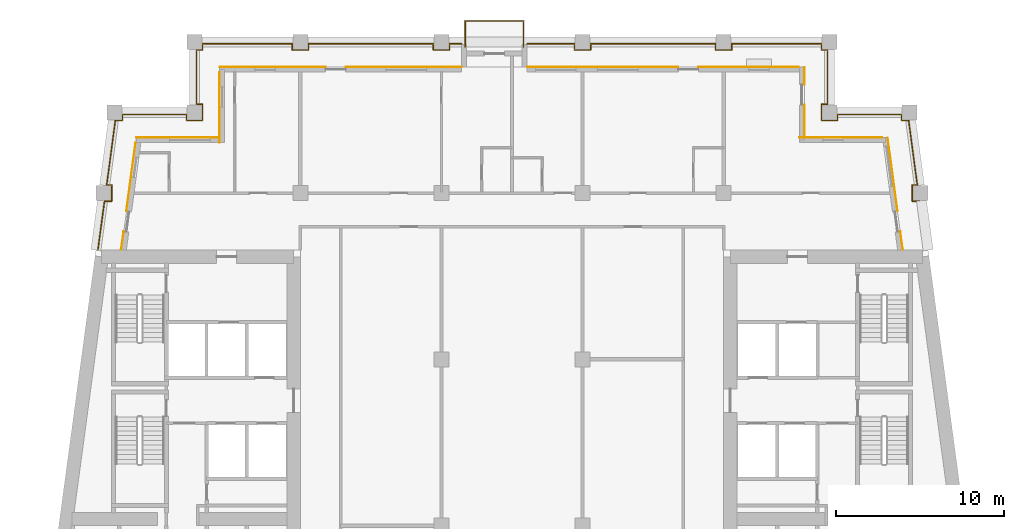
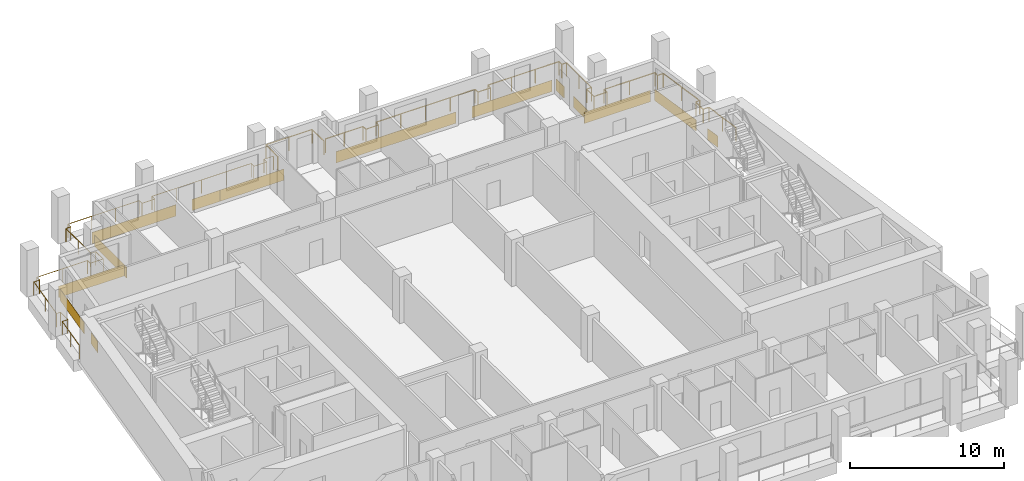
# One storey, part 11 of 12: 14 coverings, 3 railings.
"""IFC4 building model written with IfcOpenShell, lengths in metres."""

from ifc_helpers import new_model, si_unit, direction, frame, origin, origin_2d, place, context, subcontext, project, spatial, rectangle, circle, extrude, material, layer, layer_set, type_object, element, save


model = new_model("IFC4")

# Units and contexts
model_context = context("Model", 3, precision=1e-05, world=origin(), true_north=direction((0.0, 1.0)))
body_context = subcontext(model_context, "Body", "Model", "MODEL_VIEW")
ifc_project = project(units=[si_unit("LENGTHUNIT", "METRE"), si_unit("AREAUNIT", "SQUARE_METRE"), si_unit("VOLUMEUNIT", "CUBIC_METRE"), si_unit("PLANEANGLEUNIT", "RADIAN"), si_unit("MASSUNIT", "GRAM", prefix="KILO")], contexts=[model_context])

# Site, building, storey
site_placement = place(None, origin())
site = spatial("IfcSite", under=ifc_project, at=site_placement, CompositionType="ELEMENT")
building_placement = place(site_placement, origin())
building = spatial("IfcBuilding", under=site, at=building_placement, Name="Candeia Pilgrim Tower and Theatre", CompositionType="ELEMENT")
storey_placement = place(building_placement, frame((0.0, 0.0, 224.39990234375)))
storey = spatial("IfcBuildingStorey", under=building, at=storey_placement, Name="L54", CompositionType="ELEMENT", Elevation=224.39990234375)

# Railings
ifc_material_1 = material(Name="Stainless steel balustrade", Category="steel")
railing_type = type_object("IfcRailingType", Name="G1 loggia guard 1100", PredefinedType="GUARDRAIL", material=ifc_material_1)
railing_1_placement = place(storey_placement, frame((88.758544921875, 132.449951171875, 0.0)))
element("IfcRailing", 1, at=railing_1_placement, inside=storey, type_object=railing_type, Name="Guard L54.2", PredefinedType="GUARDRAIL", context=body_context, shape_type="SweptSolid", body=[
    extrude(circle(Radius=0.02392578125, at=origin_2d()), frame((0.0, 0.0, 1.076171875), z_axis=(0.133450228179, 0.991055516406, 0.0), x_axis=(-0.991055516406, 0.133450228179, 0.0)), (0.0, 0.0, 1.0), 2.89599609375),
    extrude(circle(Radius=0.02392578125, at=origin_2d()), frame((0.386474609375, 2.8701171875, 1.076171875), z_axis=(1.0, 0.0, 0.0), x_axis=(0.0, 1.0, 0.0)), (0.0, 0.0, 1.0), 0.42333984375),
    extrude(circle(Radius=0.02392578125, at=origin_2d()), frame((0.809814453125, 2.8701171875, 1.076171875), z_axis=(0.0, 1.0, 0.0), x_axis=(-1.0, 0.0, 0.0)), (0.0, 0.0, 1.0), 0.9599609375),
    extrude(circle(Radius=0.02392578125, at=origin_2d()), frame((0.809814453125, 3.830078125, 1.076171875), z_axis=(-1.0, 0.0, 0.0), x_axis=(0.0, -1.0, 0.0)), (0.0, 0.0, 1.0), 0.294189453125),
    extrude(circle(Radius=0.02392578125, at=origin_2d()), frame((0.515625, 3.830078125, 1.076171875), z_axis=(0.133389399471, 0.991063705374, 0.0), x_axis=(-0.991063705374, 0.133389399471, 0.0)), (0.0, 0.0, 1.0), 3.874755859375),
    extrude(circle(Radius=0.02392578125, at=origin_2d()), frame((1.032470703125, 7.670166015625, 1.076171875), z_axis=(1.0, 0.0, 0.0), x_axis=(0.0, 1.0, 0.0)), (0.0, 0.0, 1.0), 0.423583984375),
    extrude(circle(Radius=0.02392578125, at=origin_2d()), frame((1.4560546875, 7.670166015625, 1.076171875), z_axis=(0.0, 1.0, 0.0), x_axis=(-1.0, 0.0, 0.0)), (0.0, 0.0, 1.0), 0.35986328125),
    extrude(circle(Radius=0.02392578125, at=origin_2d()), frame((1.4560546875, 8.030029296875, 1.076171875), z_axis=(1.0, 0.0, 0.0), x_axis=(0.0, 1.0, 0.0)), (0.0, 0.0, 1.0), 3.805419921875),
    extrude(circle(Radius=0.02392578125, at=origin_2d()), frame((5.261474609375, 8.030029296875, 1.076171875), z_axis=(0.0, -1.0, 0.0), x_axis=(1.0, 0.0, 0.0)), (0.0, 0.0, 1.0), 0.35986328125),
    extrude(circle(Radius=0.02392578125, at=origin_2d()), frame((5.261474609375, 7.670166015625, 1.076171875), z_axis=(1.0, 0.0, 0.0), x_axis=(0.0, 1.0, 0.0)), (0.0, 0.0, 1.0), 0.9599609375),
    extrude(circle(Radius=0.02392578125, at=origin_2d()), frame((6.221435546875, 7.670166015625, 1.076171875), z_axis=(0.0, 1.0, 0.0), x_axis=(-1.0, 0.0, 0.0)), (0.0, 0.0, 1.0), 0.9599609375),
    extrude(circle(Radius=0.02392578125, at=origin_2d()), frame((6.221435546875, 8.630126953125, 1.076171875), z_axis=(-1.0, 0.0, 0.0), x_axis=(0.0, -1.0, 0.0)), (0.0, 0.0, 1.0), 0.35986328125),
    extrude(circle(Radius=0.02392578125, at=origin_2d()), frame((5.861572265625, 8.630126953125, 1.076171875), z_axis=(0.0, 1.0, 0.0), x_axis=(-1.0, 0.0, 0.0)), (0.0, 0.0, 1.0), 3.239990234375),
    extrude(circle(Radius=0.02392578125, at=origin_2d()), frame((5.861572265625, 11.8701171875, 1.076171875), z_axis=(1.0, 0.0, 0.0), x_axis=(0.0, 1.0, 0.0)), (0.0, 0.0, 1.0), 0.35986328125),
    extrude(circle(Radius=0.02392578125, at=origin_2d()), frame((6.221435546875, 11.8701171875, 1.076171875), z_axis=(0.0, 1.0, 0.0), x_axis=(-1.0, 0.0, 0.0)), (0.0, 0.0, 1.0), 0.35986328125),
    extrude(circle(Radius=0.02392578125, at=origin_2d()), frame((6.221435546875, 12.22998046875, 1.076171875), z_axis=(1.0, 0.0, 0.0), x_axis=(0.0, 1.0, 0.0)), (0.0, 0.0, 1.0), 5.340087890625),
    extrude(circle(Radius=0.02392578125, at=origin_2d()), frame((11.5615234375, 12.22998046875, 1.076171875), z_axis=(0.0, -1.0, 0.0), x_axis=(1.0, 0.0, 0.0)), (0.0, 0.0, 1.0), 0.35986328125),
    extrude(circle(Radius=0.02392578125, at=origin_2d()), frame((11.5615234375, 11.8701171875, 1.076171875), z_axis=(1.0, 0.0, 0.0), x_axis=(0.0, 1.0, 0.0)), (0.0, 0.0, 1.0), 0.9599609375),
    extrude(circle(Radius=0.02392578125, at=origin_2d()), frame((12.521484375, 11.8701171875, 1.076171875), z_axis=(0.0, 1.0, 0.0), x_axis=(-1.0, 0.0, 0.0)), (0.0, 0.0, 1.0), 0.35986328125),
    extrude(circle(Radius=0.02392578125, at=origin_2d()), frame((12.521484375, 12.22998046875, 1.076171875), z_axis=(1.0, 0.0, 0.0), x_axis=(0.0, 1.0, 0.0)), (0.0, 0.0, 1.0), 7.43994140625),
    extrude(circle(Radius=0.02392578125, at=origin_2d()), frame((19.96142578125, 12.22998046875, 1.076171875), z_axis=(0.0, -1.0, 0.0), x_axis=(1.0, 0.0, 0.0)), (0.0, 0.0, 1.0), 0.35986328125),
    extrude(circle(Radius=0.02392578125, at=origin_2d()), frame((19.96142578125, 11.8701171875, 1.076171875), z_axis=(1.0, 0.0, 0.0), x_axis=(0.0, 1.0, 0.0)), (0.0, 0.0, 1.0), 0.9599609375),
    extrude(circle(Radius=0.02392578125, at=origin_2d()), frame((20.92138671875, 11.8701171875, 1.076171875), z_axis=(0.0, 1.0, 0.0), x_axis=(-1.0, 0.0, 0.0)), (0.0, 0.0, 1.0), 0.35986328125),
    extrude(circle(Radius=0.02392578125, at=origin_2d()), frame((20.92138671875, 12.22998046875, 1.076171875), z_axis=(1.0, 0.0, 0.0), x_axis=(0.0, 1.0, 0.0)), (0.0, 0.0, 1.0), 0.719970703125),
    extrude(circle(Radius=0.02099609375, at=origin_2d()), origin(), (0.0, 0.0, 1.0), 1.052001953125),
    extrude(circle(Radius=0.02099609375, at=origin_2d()), frame((0.193359375, 1.43505859375, 0.0)), (0.0, 0.0, 1.0), 1.052001953125),
    extrude(circle(Radius=0.02099609375, at=origin_2d()), frame((0.386474609375, 2.8701171875, 0.0)), (0.0, 0.0, 1.0), 1.052001953125),
    extrude(circle(Radius=0.02099609375, at=origin_2d()), frame((0.809814453125, 2.8701171875, 0.0)), (0.0, 0.0, 1.0), 1.052001953125),
    extrude(circle(Radius=0.02099609375, at=origin_2d()), frame((0.809814453125, 3.830078125, 0.0)), (0.0, 0.0, 1.0), 1.052001953125),
    extrude(circle(Radius=0.02099609375, at=origin_2d()), frame((0.515625, 3.830078125, 0.0)), (0.0, 0.0, 1.0), 1.052001953125),
    extrude(circle(Radius=0.02099609375, at=origin_2d()), frame((0.77392578125, 5.75, 0.0)), (0.0, 0.0, 1.0), 1.052001953125),
    extrude(circle(Radius=0.02099609375, at=origin_2d()), frame((1.032470703125, 7.670166015625, 0.0)), (0.0, 0.0, 1.0), 1.052001953125),
    extrude(circle(Radius=0.02099609375, at=origin_2d()), frame((1.4560546875, 7.670166015625, 0.0)), (0.0, 0.0, 1.0), 1.052001953125),
    extrude(circle(Radius=0.02099609375, at=origin_2d()), frame((1.4560546875, 8.030029296875, 0.0)), (0.0, 0.0, 1.0), 1.052001953125),
    extrude(circle(Radius=0.02099609375, at=origin_2d()), frame((3.35888671875, 8.030029296875, 0.0)), (0.0, 0.0, 1.0), 1.052001953125),
    extrude(circle(Radius=0.02099609375, at=origin_2d()), frame((5.261474609375, 8.030029296875, 0.0)), (0.0, 0.0, 1.0), 1.052001953125),
    extrude(circle(Radius=0.02099609375, at=origin_2d()), frame((5.261474609375, 7.670166015625, 0.0)), (0.0, 0.0, 1.0), 1.052001953125),
    extrude(circle(Radius=0.02099609375, at=origin_2d()), frame((6.221435546875, 7.670166015625, 0.0)), (0.0, 0.0, 1.0), 1.052001953125),
    extrude(circle(Radius=0.02099609375, at=origin_2d()), frame((6.221435546875, 8.630126953125, 0.0)), (0.0, 0.0, 1.0), 1.052001953125),
    extrude(circle(Radius=0.02099609375, at=origin_2d()), frame((5.861572265625, 8.630126953125, 0.0)), (0.0, 0.0, 1.0), 1.052001953125),
    extrude(circle(Radius=0.02099609375, at=origin_2d()), frame((5.861572265625, 10.25, 0.0)), (0.0, 0.0, 1.0), 1.052001953125),
    extrude(circle(Radius=0.02099609375, at=origin_2d()), frame((5.861572265625, 11.8701171875, 0.0)), (0.0, 0.0, 1.0), 1.052001953125),
    extrude(circle(Radius=0.02099609375, at=origin_2d()), frame((6.221435546875, 11.8701171875, 0.0)), (0.0, 0.0, 1.0), 1.052001953125),
    extrude(circle(Radius=0.02099609375, at=origin_2d()), frame((6.221435546875, 12.22998046875, 0.0)), (0.0, 0.0, 1.0), 1.052001953125),
    extrude(circle(Radius=0.02099609375, at=origin_2d()), frame((8.00146484375, 12.22998046875, 0.0)), (0.0, 0.0, 1.0), 1.052001953125),
    extrude(circle(Radius=0.02099609375, at=origin_2d()), frame((9.781494140625, 12.22998046875, 0.0)), (0.0, 0.0, 1.0), 1.052001953125),
    extrude(circle(Radius=0.02099609375, at=origin_2d()), frame((11.5615234375, 12.22998046875, 0.0)), (0.0, 0.0, 1.0), 1.052001953125),
    extrude(circle(Radius=0.02099609375, at=origin_2d()), frame((11.5615234375, 11.8701171875, 0.0)), (0.0, 0.0, 1.0), 1.052001953125),
    extrude(circle(Radius=0.02099609375, at=origin_2d()), frame((12.521484375, 11.8701171875, 0.0)), (0.0, 0.0, 1.0), 1.052001953125),
    extrude(circle(Radius=0.02099609375, at=origin_2d()), frame((12.521484375, 12.22998046875, 0.0)), (0.0, 0.0, 1.0), 1.052001953125),
    extrude(circle(Radius=0.02099609375, at=origin_2d()), frame((14.38134765625, 12.22998046875, 0.0)), (0.0, 0.0, 1.0), 1.052001953125),
    extrude(circle(Radius=0.02099609375, at=origin_2d()), frame((16.241455078125, 12.22998046875, 0.0)), (0.0, 0.0, 1.0), 1.052001953125),
    extrude(circle(Radius=0.02099609375, at=origin_2d()), frame((18.1015625, 12.22998046875, 0.0)), (0.0, 0.0, 1.0), 1.052001953125),
    extrude(circle(Radius=0.02099609375, at=origin_2d()), frame((19.96142578125, 12.22998046875, 0.0)), (0.0, 0.0, 1.0), 1.052001953125),
    extrude(circle(Radius=0.02099609375, at=origin_2d()), frame((19.96142578125, 11.8701171875, 0.0)), (0.0, 0.0, 1.0), 1.052001953125),
    extrude(circle(Radius=0.02099609375, at=origin_2d()), frame((20.92138671875, 11.8701171875, 0.0)), (0.0, 0.0, 1.0), 1.052001953125),
    extrude(circle(Radius=0.02099609375, at=origin_2d()), frame((20.92138671875, 12.22998046875, 0.0)), (0.0, 0.0, 1.0), 1.052001953125),
    extrude(circle(Radius=0.02099609375, at=origin_2d()), frame((21.641357421875, 12.22998046875, 0.0)), (0.0, 0.0, 1.0), 1.052001953125),
])
railing_2_placement = place(storey_placement, frame((114.300048828125, 144.679931640625, 0.0)))
element("IfcRailing", 2, at=railing_2_placement, inside=storey, type_object=railing_type, Name="Guard L54.3", PredefinedType="GUARDRAIL", context=body_context, shape_type="SweptSolid", body=[
    extrude(circle(Radius=0.02392578125, at=origin_2d()), frame((0.0, 0.0, 1.076171875), z_axis=(1.0, 0.0, 0.0), x_axis=(0.0, 1.0, 0.0)), (0.0, 0.0, 1.0), 2.820068359375),
    extrude(circle(Radius=0.02392578125, at=origin_2d()), frame((2.820068359375, 0.0, 1.076171875), z_axis=(0.0, -1.0, 0.0), x_axis=(1.0, 0.0, 0.0)), (0.0, 0.0, 1.0), 0.35986328125),
    extrude(circle(Radius=0.02392578125, at=origin_2d()), frame((2.820068359375, -0.35986328125, 1.076171875), z_axis=(1.0, 0.0, 0.0), x_axis=(0.0, 1.0, 0.0)), (0.0, 0.0, 1.0), 0.9599609375),
    extrude(circle(Radius=0.02392578125, at=origin_2d()), frame((3.780029296875, -0.35986328125, 1.076171875), z_axis=(0.0, 1.0, 0.0), x_axis=(-1.0, 0.0, 0.0)), (0.0, 0.0, 1.0), 0.35986328125),
    extrude(circle(Radius=0.02392578125, at=origin_2d()), frame((3.780029296875, 0.0, 1.076171875), z_axis=(1.0, 0.0, 0.0), x_axis=(0.0, 1.0, 0.0)), (0.0, 0.0, 1.0), 7.43994140625),
    extrude(circle(Radius=0.02392578125, at=origin_2d()), frame((11.219970703125, 0.0, 1.076171875), z_axis=(0.0, -1.0, 0.0), x_axis=(1.0, 0.0, 0.0)), (0.0, 0.0, 1.0), 0.35986328125),
    extrude(circle(Radius=0.02392578125, at=origin_2d()), frame((11.219970703125, -0.35986328125, 1.076171875), z_axis=(1.0, 0.0, 0.0), x_axis=(0.0, 1.0, 0.0)), (0.0, 0.0, 1.0), 0.9599609375),
    extrude(circle(Radius=0.02392578125, at=origin_2d()), frame((12.179931640625, -0.35986328125, 1.076171875), z_axis=(0.0, 1.0, 0.0), x_axis=(-1.0, 0.0, 0.0)), (0.0, 0.0, 1.0), 0.35986328125),
    extrude(circle(Radius=0.02392578125, at=origin_2d()), frame((12.179931640625, 0.0, 1.076171875), z_axis=(1.0, 0.0, 0.0), x_axis=(0.0, 1.0, 0.0)), (0.0, 0.0, 1.0), 5.340087890625),
    extrude(circle(Radius=0.02392578125, at=origin_2d()), frame((17.52001953125, 0.0, 1.076171875), z_axis=(0.0, -1.0, 0.0), x_axis=(1.0, 0.0, 0.0)), (0.0, 0.0, 1.0), 0.35986328125),
    extrude(circle(Radius=0.02392578125, at=origin_2d()), frame((17.52001953125, -0.35986328125, 1.076171875), z_axis=(1.0, 0.0, 0.0), x_axis=(0.0, 1.0, 0.0)), (0.0, 0.0, 1.0), 0.35986328125),
    extrude(circle(Radius=0.02392578125, at=origin_2d()), frame((17.8798828125, -0.35986328125, 1.076171875), z_axis=(0.0, -1.0, 0.0), x_axis=(1.0, 0.0, 0.0)), (0.0, 0.0, 1.0), 3.239990234375),
    extrude(circle(Radius=0.02392578125, at=origin_2d()), frame((17.8798828125, -3.599853515625, 1.076171875), z_axis=(-1.0, 0.0, 0.0), x_axis=(0.0, -1.0, 0.0)), (0.0, 0.0, 1.0), 0.35986328125),
    extrude(circle(Radius=0.02392578125, at=origin_2d()), frame((17.52001953125, -3.599853515625, 1.076171875), z_axis=(0.0, -1.0, 0.0), x_axis=(1.0, 0.0, 0.0)), (0.0, 0.0, 1.0), 0.9599609375),
    extrude(circle(Radius=0.02392578125, at=origin_2d()), frame((17.52001953125, -4.559814453125, 1.076171875), z_axis=(1.0, 0.0, 0.0), x_axis=(0.0, 1.0, 0.0)), (0.0, 0.0, 1.0), 0.9599609375),
    extrude(circle(Radius=0.02392578125, at=origin_2d()), frame((18.47998046875, -4.559814453125, 1.076171875), z_axis=(0.0, 1.0, 0.0), x_axis=(-1.0, 0.0, 0.0)), (0.0, 0.0, 1.0), 0.35986328125),
    extrude(circle(Radius=0.02392578125, at=origin_2d()), frame((18.47998046875, -4.199951171875, 1.076171875), z_axis=(1.0, 0.0, 0.0), x_axis=(0.0, 1.0, 0.0)), (0.0, 0.0, 1.0), 3.805419921875),
    extrude(circle(Radius=0.02392578125, at=origin_2d()), frame((22.285400390625, -4.199951171875, 1.076171875), z_axis=(0.0, -1.0, 0.0), x_axis=(1.0, 0.0, 0.0)), (0.0, 0.0, 1.0), 0.35986328125),
    extrude(circle(Radius=0.02392578125, at=origin_2d()), frame((22.285400390625, -4.559814453125, 1.076171875), z_axis=(1.0, 0.0, 0.0), x_axis=(0.0, 1.0, 0.0)), (0.0, 0.0, 1.0), 0.423583984375),
    extrude(circle(Radius=0.02392578125, at=origin_2d()), frame((22.708984375, -4.559814453125, 1.076171875), z_axis=(0.133389399471, -0.991063705374, 0.0), x_axis=(0.991063705374, 0.133389399471, 0.0)), (0.0, 0.0, 1.0), 3.874755859375),
    extrude(circle(Radius=0.02392578125, at=origin_2d()), frame((23.225830078125, -8.39990234375, 1.076171875), z_axis=(-1.0, 0.0, 0.0), x_axis=(0.0, -1.0, 0.0)), (0.0, 0.0, 1.0), 0.29443359375),
    extrude(circle(Radius=0.02392578125, at=origin_2d()), frame((22.931396484375, -8.39990234375, 1.076171875), z_axis=(0.0, -1.0, 0.0), x_axis=(1.0, 0.0, 0.0)), (0.0, 0.0, 1.0), 0.9599609375),
    extrude(circle(Radius=0.02392578125, at=origin_2d()), frame((22.931396484375, -9.35986328125, 1.076171875), z_axis=(1.0, 0.0, 0.0), x_axis=(0.0, 1.0, 0.0)), (0.0, 0.0, 1.0), 0.423583984375),
    extrude(circle(Radius=0.02392578125, at=origin_2d()), frame((23.35498046875, -9.35986328125, 1.076171875), z_axis=(0.133450228179, -0.991055516406, 0.0), x_axis=(0.991055516406, 0.133450228179, 0.0)), (0.0, 0.0, 1.0), 2.89599609375),
    extrude(circle(Radius=0.02099609375, at=origin_2d()), origin(), (0.0, 0.0, 1.0), 1.052001953125),
    extrude(circle(Radius=0.02099609375, at=origin_2d()), frame((1.41015625, 0.0, 0.0)), (0.0, 0.0, 1.0), 1.052001953125),
    extrude(circle(Radius=0.02099609375, at=origin_2d()), frame((2.820068359375, 0.0, 0.0)), (0.0, 0.0, 1.0), 1.052001953125),
    extrude(circle(Radius=0.02099609375, at=origin_2d()), frame((2.820068359375, -0.35986328125, 0.0)), (0.0, 0.0, 1.0), 1.052001953125),
    extrude(circle(Radius=0.02099609375, at=origin_2d()), frame((3.780029296875, -0.35986328125, 0.0)), (0.0, 0.0, 1.0), 1.052001953125),
    extrude(circle(Radius=0.02099609375, at=origin_2d()), frame((3.780029296875, 0.0, 0.0)), (0.0, 0.0, 1.0), 1.052001953125),
    extrude(circle(Radius=0.02099609375, at=origin_2d()), frame((5.64013671875, 0.0, 0.0)), (0.0, 0.0, 1.0), 1.052001953125),
    extrude(circle(Radius=0.02099609375, at=origin_2d()), frame((7.5, 0.0, 0.0)), (0.0, 0.0, 1.0), 1.052001953125),
    extrude(circle(Radius=0.02099609375, at=origin_2d()), frame((9.35986328125, 0.0, 0.0)), (0.0, 0.0, 1.0), 1.052001953125),
    extrude(circle(Radius=0.02099609375, at=origin_2d()), frame((11.219970703125, 0.0, 0.0)), (0.0, 0.0, 1.0), 1.052001953125),
    extrude(circle(Radius=0.02099609375, at=origin_2d()), frame((11.219970703125, -0.35986328125, 0.0)), (0.0, 0.0, 1.0), 1.052001953125),
    extrude(circle(Radius=0.02099609375, at=origin_2d()), frame((12.179931640625, -0.35986328125, 0.0)), (0.0, 0.0, 1.0), 1.052001953125),
    extrude(circle(Radius=0.02099609375, at=origin_2d()), frame((12.179931640625, 0.0, 0.0)), (0.0, 0.0, 1.0), 1.052001953125),
    extrude(circle(Radius=0.02099609375, at=origin_2d()), frame((13.9599609375, 0.0, 0.0)), (0.0, 0.0, 1.0), 1.052001953125),
    extrude(circle(Radius=0.02099609375, at=origin_2d()), frame((15.739990234375, 0.0, 0.0)), (0.0, 0.0, 1.0), 1.052001953125),
    extrude(circle(Radius=0.02099609375, at=origin_2d()), frame((17.52001953125, 0.0, 0.0)), (0.0, 0.0, 1.0), 1.052001953125),
    extrude(circle(Radius=0.02099609375, at=origin_2d()), frame((17.52001953125, -0.35986328125, 0.0)), (0.0, 0.0, 1.0), 1.052001953125),
    extrude(circle(Radius=0.02099609375, at=origin_2d()), frame((17.8798828125, -0.35986328125, 0.0)), (0.0, 0.0, 1.0), 1.052001953125),
    extrude(circle(Radius=0.02099609375, at=origin_2d()), frame((17.8798828125, -1.97998046875, 0.0)), (0.0, 0.0, 1.0), 1.052001953125),
    extrude(circle(Radius=0.02099609375, at=origin_2d()), frame((17.8798828125, -3.599853515625, 0.0)), (0.0, 0.0, 1.0), 1.052001953125),
    extrude(circle(Radius=0.02099609375, at=origin_2d()), frame((17.52001953125, -3.599853515625, 0.0)), (0.0, 0.0, 1.0), 1.052001953125),
    extrude(circle(Radius=0.02099609375, at=origin_2d()), frame((17.52001953125, -4.559814453125, 0.0)), (0.0, 0.0, 1.0), 1.052001953125),
    extrude(circle(Radius=0.02099609375, at=origin_2d()), frame((18.47998046875, -4.559814453125, 0.0)), (0.0, 0.0, 1.0), 1.052001953125),
    extrude(circle(Radius=0.02099609375, at=origin_2d()), frame((18.47998046875, -4.199951171875, 0.0)), (0.0, 0.0, 1.0), 1.052001953125),
    extrude(circle(Radius=0.02099609375, at=origin_2d()), frame((20.3828125, -4.199951171875, 0.0)), (0.0, 0.0, 1.0), 1.052001953125),
    extrude(circle(Radius=0.02099609375, at=origin_2d()), frame((22.285400390625, -4.199951171875, 0.0)), (0.0, 0.0, 1.0), 1.052001953125),
    extrude(circle(Radius=0.02099609375, at=origin_2d()), frame((22.285400390625, -4.559814453125, 0.0)), (0.0, 0.0, 1.0), 1.052001953125),
    extrude(circle(Radius=0.02099609375, at=origin_2d()), frame((22.708984375, -4.559814453125, 0.0)), (0.0, 0.0, 1.0), 1.052001953125),
    extrude(circle(Radius=0.02099609375, at=origin_2d()), frame((22.96728515625, -6.47998046875, 0.0)), (0.0, 0.0, 1.0), 1.052001953125),
    extrude(circle(Radius=0.02099609375, at=origin_2d()), frame((23.225830078125, -8.39990234375, 0.0)), (0.0, 0.0, 1.0), 1.052001953125),
    extrude(circle(Radius=0.02099609375, at=origin_2d()), frame((22.931396484375, -8.39990234375, 0.0)), (0.0, 0.0, 1.0), 1.052001953125),
    extrude(circle(Radius=0.02099609375, at=origin_2d()), frame((22.931396484375, -9.35986328125, 0.0)), (0.0, 0.0, 1.0), 1.052001953125),
    extrude(circle(Radius=0.02099609375, at=origin_2d()), frame((23.35498046875, -9.35986328125, 0.0)), (0.0, 0.0, 1.0), 1.052001953125),
    extrude(circle(Radius=0.02099609375, at=origin_2d()), frame((23.54833984375, -10.794921875, 0.0)), (0.0, 0.0, 1.0), 1.052001953125),
    extrude(circle(Radius=0.02099609375, at=origin_2d()), frame((23.741455078125, -12.22998046875, 0.0)), (0.0, 0.0, 1.0), 1.052001953125),
])
railing_3_placement = place(storey_placement, frame((110.610107421875, 144.5, 0.0)))
element("IfcRailing", 3, at=railing_3_placement, inside=storey, type_object=railing_type, Name="Balcony guard L54", PredefinedType="GUARDRAIL", context=body_context, shape_type="SweptSolid", body=[
    extrude(circle(Radius=0.02392578125, at=origin_2d()), frame((0.0, 0.0, 1.076171875), z_axis=(0.0, 1.0, 0.0), x_axis=(-1.0, 0.0, 0.0)), (0.0, 0.0, 1.0), 1.5400390625),
    extrude(circle(Radius=0.02392578125, at=origin_2d()), frame((0.0, 1.5400390625, 1.076171875), z_axis=(1.0, 0.0, 0.0), x_axis=(0.0, 1.0, 0.0)), (0.0, 0.0, 1.0), 3.47998046875),
    extrude(circle(Radius=0.02392578125, at=origin_2d()), frame((3.47998046875, 1.5400390625, 1.076171875), z_axis=(0.0, -1.0, 0.0), x_axis=(1.0, 0.0, 0.0)), (0.0, 0.0, 1.0), 1.5400390625),
    extrude(circle(Radius=0.02099609375, at=origin_2d()), origin(), (0.0, 0.0, 1.0), 1.052001953125),
    extrude(circle(Radius=0.02099609375, at=origin_2d()), frame((0.0, 1.5400390625, 0.0)), (0.0, 0.0, 1.0), 1.052001953125),
    extrude(circle(Radius=0.02099609375, at=origin_2d()), frame((1.739990234375, 1.5400390625, 0.0)), (0.0, 0.0, 1.0), 1.052001953125),
    extrude(circle(Radius=0.02099609375, at=origin_2d()), frame((3.47998046875, 1.5400390625, 0.0)), (0.0, 0.0, 1.0), 1.052001953125),
    extrude(circle(Radius=0.02099609375, at=origin_2d()), frame((3.47998046875, 0.0, 0.0)), (0.0, 0.0, 1.0), 1.052001953125),
])

# Coverings
ifc_material_2 = material(Name="Glazed ceramic tile bottle green")
ifc_layer_1 = layer(ifc_material_2, 0.02001953125)
ifc_layer_set_1 = layer_set([ifc_layer_1], Name="Glazed ceramic tile bottle green")
covering_type_1 = type_object("IfcCoveringType", Name="Glazed ceramic tile bottle green", PredefinedType="CLADDING", material=ifc_layer_set_1)
covering_1_placement = place(storey_placement, frame((136.588623046875, 132.97412109375, 0.000244140625), z_axis=(0.0, 0.0, 1.0), x_axis=(-0.133412012145, 0.991060661622, 0.0)))
element("IfcCovering", 4, at=covering_1_placement, inside=storey, type_object=covering_type_1, Name="Tile cladding bottle green L54", PredefinedType="CLADDING", context=body_context, shape_type="SweptSolid", body=[
    extrude(rectangle(XDim=1.115234375, YDim=0.02001953125, at=origin_2d()), origin(), (0.0, 0.0, 1.0), 0.89990234375),
])
covering_2_placement = place(storey_placement, frame((136.058837890625, 136.90869140625, 0.000244140625), z_axis=(0.0, 0.0, 1.0), x_axis=(-0.133412012145, 0.991060661622, 0.0)))
element("IfcCovering", 5, at=covering_2_placement, inside=storey, type_object=covering_type_1, Name="Tile cladding bottle green L54", PredefinedType="CLADDING", context=body_context, shape_type="SweptSolid", body=[
    extrude(rectangle(XDim=4.4248046875, YDim=0.02001953125, at=origin_2d()), origin(), (0.0, 0.0, 1.0), 0.89990234375),
])
covering_3_placement = place(storey_placement, frame((132.976318359375, 139.110107421875, 0.000244140625), z_axis=(0.0, 0.0, 1.0), x_axis=(-1.0, 0.0, 0.0)))
element("IfcCovering", 6, at=covering_3_placement, inside=storey, type_object=covering_type_1, Name="Tile cladding bottle green L54", PredefinedType="CLADDING", context=body_context, shape_type="SweptSolid", body=[
    extrude(rectangle(XDim=4.95263671875, YDim=0.02001953125, at=origin_2d()), origin(), (0.0, 0.0, 1.0), 0.89990234375),
])
covering_4_placement = place(storey_placement, frame((130.81005859375, 140.0849609375, 0.000244140625), z_axis=(0.0, 0.0, 1.0), x_axis=(0.0, 1.0, 0.0)))
element("IfcCovering", 7, at=covering_4_placement, inside=storey, type_object=covering_type_1, Name="Tile cladding bottle green L54", PredefinedType="CLADDING", context=body_context, shape_type="SweptSolid", body=[
    extrude(rectangle(XDim=1.929931640625, YDim=0.02001953125, at=origin_2d()), origin(), (0.0, 0.0, 1.0), 0.89990234375),
])
covering_5_placement = place(storey_placement, frame((130.81005859375, 142.77490234375, 0.000244140625), z_axis=(0.0, 0.0, 1.0), x_axis=(0.0, 1.0, 0.0)))
element("IfcCovering", 8, at=covering_5_placement, inside=storey, type_object=covering_type_1, Name="Tile cladding bottle green L54", PredefinedType="CLADDING", context=body_context, shape_type="SweptSolid", body=[
    extrude(rectangle(XDim=1.050048828125, YDim=0.02001953125, at=origin_2d()), origin(), (0.0, 0.0, 1.0), 0.89990234375),
])
covering_6_placement = place(storey_placement, frame((127.489990234375, 143.31005859375, 0.000244140625), z_axis=(0.0, 0.0, 1.0), x_axis=(-1.0, 0.0, 0.0)))
element("IfcCovering", 9, at=covering_6_placement, inside=storey, type_object=covering_type_1, Name="Tile cladding bottle green L54", PredefinedType="CLADDING", context=body_context, shape_type="SweptSolid", body=[
    extrude(rectangle(XDim=5.97998046875, YDim=0.02001953125, at=origin_2d()), origin(), (0.0, 0.0, 1.0), 0.89990234375),
])
covering_7_placement = place(storey_placement, frame((118.800048828125, 143.31005859375, 0.000244140625), z_axis=(0.0, 0.0, 1.0), x_axis=(-1.0, 0.0, 0.0)))
element("IfcCovering", 10, at=covering_7_placement, inside=storey, type_object=covering_type_1, Name="Tile cladding bottle green L54", PredefinedType="CLADDING", context=body_context, shape_type="SweptSolid", body=[
    extrude(rectangle(XDim=9.0, YDim=0.02001953125, at=origin_2d()), origin(), (0.0, 0.0, 1.0), 0.89990234375),
])
covering_8_placement = place(storey_placement, frame((108.0, 143.31005859375, 0.000244140625), z_axis=(0.0, 0.0, 1.0), x_axis=(-1.0, 0.0, 0.0)))
element("IfcCovering", 11, at=covering_8_placement, inside=storey, type_object=covering_type_1, Name="Tile cladding bottle green L54", PredefinedType="CLADDING", context=body_context, shape_type="SweptSolid", body=[
    extrude(rectangle(XDim=4.800048828125, YDim=0.02001953125, at=origin_2d()), origin(), (0.0, 0.0, 1.0), 0.89990234375),
])
covering_9_placement = place(storey_placement, frame((95.989990234375, 140.889892578125, 0.000244140625), z_axis=(0.0, 0.0, 1.0), x_axis=(0.0, -1.0, 0.0)))
element("IfcCovering", 12, at=covering_9_placement, inside=storey, type_object=covering_type_1, Name="Tile cladding bottle green L54", PredefinedType="CLADDING", context=body_context, shape_type="SweptSolid", body=[
    extrude(rectangle(XDim=4.179931640625, YDim=0.02001953125, at=origin_2d()), origin(), (0.0, 0.0, 1.0), 0.89990234375),
])
covering_10_placement = place(storey_placement, frame((90.720947265625, 136.759521484375, 0.000244140625), z_axis=(0.0, 0.0, 1.0), x_axis=(-0.133412012145, -0.991060661622, 0.0)))
element("IfcCovering", 13, at=covering_10_placement, inside=storey, type_object=covering_type_1, Name="Tile cladding bottle green L54", PredefinedType="CLADDING", context=body_context, shape_type="SweptSolid", body=[
    extrude(rectangle(XDim=4.123779296875, YDim=0.02001953125, at=origin_2d()), origin(), (0.0, 0.0, 1.0), 0.89990234375),
])
covering_11_placement = place(storey_placement, frame((90.21142578125, 132.97412109375, 0.000244140625), z_axis=(0.0, 0.0, 1.0), x_axis=(-0.133412012145, -0.991060661622, 0.0)))
element("IfcCovering", 14, at=covering_11_placement, inside=storey, type_object=covering_type_1, Name="Tile cladding bottle green L54", PredefinedType="CLADDING", context=body_context, shape_type="SweptSolid", body=[
    extrude(rectangle(XDim=1.115234375, YDim=0.02001953125, at=origin_2d()), origin(), (0.0, 0.0, 1.0), 0.89990234375),
])
ifc_material_3 = material(Name="Glazed ceramic tile rust")
ifc_layer_2 = layer(ifc_material_3, 0.02001953125)
ifc_layer_set_2 = layer_set([ifc_layer_2], Name="Glazed ceramic tile rust")
covering_type_2 = type_object("IfcCoveringType", Name="Glazed ceramic tile rust", PredefinedType="CLADDING", material=ifc_layer_set_2)
covering_12_placement = place(storey_placement, frame((104.550048828125, 143.31005859375, 0.000244140625), z_axis=(0.0, 0.0, 1.0), x_axis=(-1.0, 0.0, 0.0)))
element("IfcCovering", 15, at=covering_12_placement, inside=storey, type_object=covering_type_2, Name="Tile cladding rust L54", PredefinedType="CLADDING", context=body_context, shape_type="SweptSolid", body=[
    extrude(rectangle(XDim=2.10009765625, YDim=0.02001953125, at=origin_2d()), origin(), (0.0, 0.0, 1.0), 0.89990234375),
])
covering_13_placement = place(storey_placement, frame((99.14990234375, 143.31005859375, 0.000244140625), z_axis=(0.0, 0.0, 1.0), x_axis=(-1.0, 0.0, 0.0)))
element("IfcCovering", 16, at=covering_13_placement, inside=storey, type_object=covering_type_2, Name="Tile cladding rust L54", PredefinedType="CLADDING", context=body_context, shape_type="SweptSolid", body=[
    extrude(rectangle(XDim=6.300048828125, YDim=0.02001953125, at=origin_2d()), origin(), (0.0, 0.0, 1.0), 0.89990234375),
])
covering_14_placement = place(storey_placement, frame((93.51318359375, 139.110107421875, 0.000244140625), z_axis=(0.0, 0.0, 1.0), x_axis=(-1.0, 0.0, 0.0)))
element("IfcCovering", 17, at=covering_14_placement, inside=storey, type_object=covering_type_2, Name="Tile cladding rust L54", PredefinedType="CLADDING", context=body_context, shape_type="SweptSolid", body=[
    extrude(rectangle(XDim=4.933837890625, YDim=0.02001953125, at=origin_2d()), origin(), (0.0, 0.0, 1.0), 0.89990234375),
])

save(model, "model.ifc")
